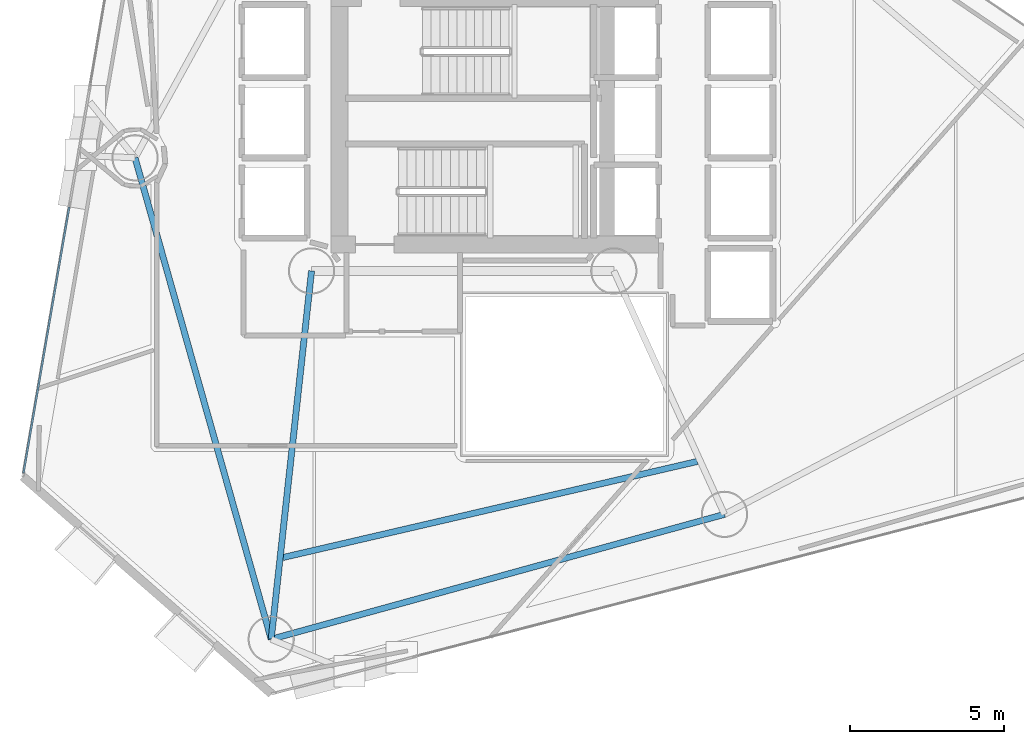
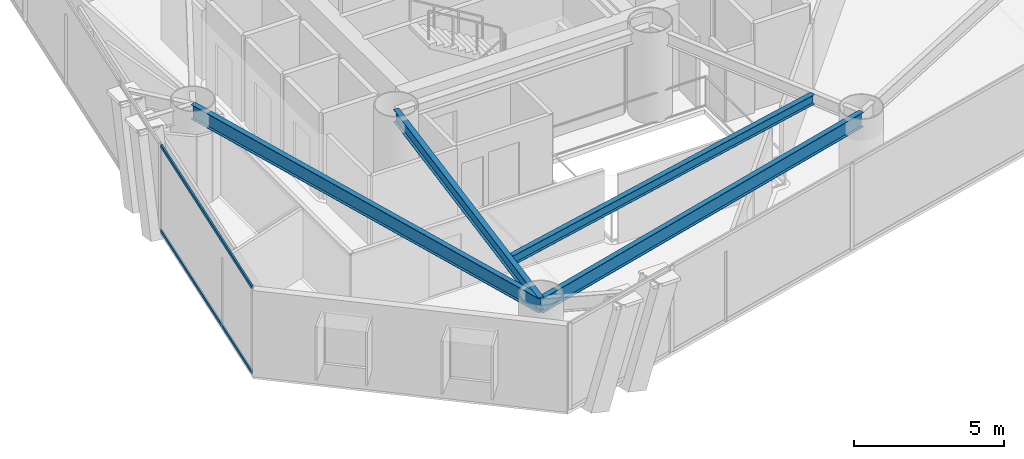
# One storey, part 3 of 21: 4 beams, 2 members, 1 element without a shape of its own.
"""IFC4 building model written with IfcOpenShell, lengths in metres."""

import ifcopenshell
import ifcopenshell.guid

model = None  # the IFC model being written
_history = None  # IfcOwnerHistory: only IFC2X3 demands one
_inside = {}  # id of a spatial element -> (the spatial element, [elements in it])
_under = {}  # id of a project, library or spatial element -> (it, [spatial elements below it])
_declared = {}  # id of a project -> (the project, [libraries it declares])
_typed = {}  # id of a type object -> (the type object, [elements of that type])
_made_of = {}  # id of a material, layer set ... -> (it, [elements and type objects made of it])


def new_model(schema):
    """Start an empty IFC model of exactly this schema.

    Asked for "IFC4X3", IfcOpenShell would pick the latest addendum, in which some entities
    have other attributes; the version numbers below select the first issue.
    IFC2X3 requires an IfcOwnerHistory on every rooted entity: one is made here for all.
    """
    global model, _history
    if schema == "IFC4X3":
        model = ifcopenshell.file(schema_version=(4, 3, 0, 0))
    else:
        model = ifcopenshell.file(schema=schema)
    _inside.clear()
    _under.clear()
    _declared.clear()
    _typed.clear()
    _made_of.clear()
    _history = None
    if model.schema == "IFC2X3":
        org = make("IfcOrganization", Name="unknown")
        user = make(
            "IfcPersonAndOrganization",
            ThePerson=make("IfcPerson", FamilyName="unknown"),
            TheOrganization=org,
        )
        app = make(
            "IfcApplication",
            ApplicationDeveloper=org,
            Version="unknown",
            ApplicationFullName="unknown",
            ApplicationIdentifier="unknown",
        )
        _history = make(
            "IfcOwnerHistory",
            OwningUser=user,
            OwningApplication=app,
            ChangeAction="ADDED",
            CreationDate=0,
        )
    return model


def make(cls, **values):
    """One entity of the class cls with the attributes given. An attribute that is None is left unset."""
    return model.create_entity(
        cls, **{name: value for name, value in values.items() if value is not None}
    )


def rooted(cls, **values):
    """An entity with a GlobalId (a new one), such as an element, a storey or a relation."""
    return make(cls, GlobalId=ifcopenshell.guid.new(), OwnerHistory=_history, **values)


def si_unit(unit_type, name, prefix=None):
    """IfcSIUnit, for example si_unit("LENGTHUNIT", "METRE", prefix="MILLI")."""
    return make("IfcSIUnit", UnitType=unit_type, Prefix=prefix, Name=name)


def assignment(units):
    """IfcUnitAssignment: the units of a project."""
    return None if units is None else make("IfcUnitAssignment", Units=units)


def point(xyz):
    """IfcCartesianPoint."""
    return None if xyz is None else make("IfcCartesianPoint", Coordinates=xyz)


def direction(xyz):
    """IfcDirection."""
    return None if xyz is None else make("IfcDirection", DirectionRatios=xyz)


def frame(location, z_axis=None, x_axis=None):
    """IfcAxis2Placement3D, a coordinate frame: its origin and axes. An axis left out is left unset."""
    return make(
        "IfcAxis2Placement3D",
        Location=point(location),
        Axis=direction(z_axis),
        RefDirection=direction(x_axis),
    )


def frame_2d(location, x_axis=None):
    """IfcAxis2Placement2D, a coordinate frame in the plane: its origin and x axis."""
    return make(
        "IfcAxis2Placement2D", Location=point(location), RefDirection=direction(x_axis)
    )


def origin():
    """The frame at (0, 0, 0) with its axes left unset."""
    return frame((0.0, 0.0, 0.0))


def origin_2d():
    """The frame at (0, 0) in the plane with its x axis left unset."""
    return frame_2d((0.0, 0.0))


def place(relative_to, where):
    """IfcLocalPlacement: puts the frame where relative to a parent placement (None: the world)."""
    return make(
        "IfcLocalPlacement", PlacementRelTo=relative_to, RelativePlacement=where
    )


def context(
    kind, dimensions, precision=None, world=None, true_north=None, identifier=None
):
    """IfcGeometricRepresentationContext, for example the 3D "Model" context."""
    return make(
        "IfcGeometricRepresentationContext",
        ContextIdentifier=identifier,
        ContextType=kind,
        CoordinateSpaceDimension=dimensions,
        Precision=precision,
        WorldCoordinateSystem=world,
        TrueNorth=true_north,
    )


def subcontext(parent, identifier, kind, view, scale=None):
    """IfcGeometricRepresentationSubContext, for example "Body" below "Model"."""
    return make(
        "IfcGeometricRepresentationSubContext",
        ContextIdentifier=identifier,
        ContextType=kind,
        ParentContext=parent,
        TargetScale=scale,
        TargetView=view,
    )


def project(units=None, contexts=None):
    """IfcProject with its units and contexts."""
    return rooted(
        "IfcProject",
        Name="project",
        RepresentationContexts=contexts,
        UnitsInContext=assignment(units),
    )


def spatial(cls, under=None, at=None, **own):
    """A site, building, storey or space (cls), placed at a placement, below another one or the project."""
    s = rooted(cls, ObjectPlacement=at, **own)
    if under is not None:
        _under.setdefault(under.id(), (under, []))[1].append(s)
    return s


def profile(cls, at=None, kind="AREA", **sizes):
    """A parametric profile (cls). Its sizes go by their IFC names, for example OverallWidth=200.0."""
    return make(cls, ProfileType=kind, Position=at, **sizes)


def hollow_rectangle(**sizes):
    """IfcRectangleHollowProfileDef."""
    return profile("IfcRectangleHollowProfileDef", **sizes)


def i_section(**sizes):
    """IfcIShapeProfileDef."""
    return profile("IfcIShapeProfileDef", **sizes)


def extrude(swept, where, along, depth):
    """IfcExtrudedAreaSolid: the profile swept, set in the frame where, extruded along a direction by depth."""
    return make(
        "IfcExtrudedAreaSolid",
        SweptArea=swept,
        Position=where,
        ExtrudedDirection=direction(along),
        Depth=depth,
    )


def shape(context_of_items, identifier, shape_type, items):
    """IfcShapeRepresentation: the items that make up one representation, for example the "Body"."""
    return make(
        "IfcShapeRepresentation",
        ContextOfItems=context_of_items,
        RepresentationIdentifier=identifier,
        RepresentationType=shape_type,
        Items=items,
    )


def material(Name=None, Category=None):
    """IfcMaterial."""
    return make("IfcMaterial", Name=Name, Category=Category)


def layer(
    of_material, thickness, ventilated=None, Name=None, Category=None, Priority=None
):
    """IfcMaterialLayer: one layer of a wall or slab, of a material (None: an air gap)."""
    return make(
        "IfcMaterialLayer",
        Material=of_material,
        LayerThickness=thickness,
        IsVentilated=ventilated,
        Name=Name,
        Category=Category,
        Priority=Priority,
    )


def layer_set(layers, Name=None):
    """IfcMaterialLayerSet."""
    return make("IfcMaterialLayerSet", MaterialLayers=layers, LayerSetName=Name)


def material_profile(
    of_material, cross_section, Name=None, Category=None, Priority=None
):
    """IfcMaterialProfile: a cross section and its material."""
    return make(
        "IfcMaterialProfile",
        Name=Name,
        Material=of_material,
        Profile=cross_section,
        Priority=Priority,
        Category=Category,
    )


def profile_set(profiles, Name=None, composite=None):
    """IfcMaterialProfileSet."""
    return make(
        "IfcMaterialProfileSet",
        Name=Name,
        MaterialProfiles=profiles,
        CompositeProfile=composite,
    )


def made_of(thing, what):
    """Note that an element or type object is made of a material, layer set ...; save() writes the relation."""
    if what is not None:
        _made_of.setdefault(what.id(), (what, []))[1].append(thing)
    return thing


def type_object(cls, material=None, **own):
    """A type object (cls), such as IfcWallType, which elements share."""
    return made_of(rooted(cls, **own), material)


def element(
    cls,
    number,
    at=None,
    inside=None,
    cuts=None,
    type_object=None,
    material=None,
    context=None,
    identifier="Body",
    shape_type=None,
    held_by="IfcProductDefinitionShape",
    body=None,
    shapes=None,
    **own,
):
    """One element of the class cls, such as IfcWall. Its Tag is "e" and its number.

    at: its placement. inside: the storey or other place that contains it. cuts: it is an
    opening in that element (IfcRelVoidsElement). A single representation is given by context,
    identifier, shape_type and body (its items); several are given by shapes. held_by: the class
    of the entity that holds the representations. save() writes the other relations.
    """
    e = rooted(cls, Tag="e%d" % number, ObjectPlacement=at, **own)
    if body is not None:
        shapes = [shape(context, identifier, shape_type, body)]
    if shapes is not None:
        e.Representation = make(held_by, Representations=shapes)
    if inside is not None:
        _inside.setdefault(inside.id(), (inside, []))[1].append(e)
    if cuts is not None:
        rooted(
            "IfcRelVoidsElement", RelatingBuildingElement=cuts, RelatedOpeningElement=e
        )
    if type_object is not None:
        _typed.setdefault(type_object.id(), (type_object, []))[1].append(e)
    return made_of(e, material)


def aggregate(whole, parts):
    """IfcRelAggregates: a whole, such as a stair, and the parts it consists of."""
    return rooted("IfcRelAggregates", RelatingObject=whole, RelatedObjects=parts)


def save(model, path):
    """Write the relations noted so far, then the file.

    IfcRelAggregates (storeys below a building ...), IfcRelContainedInSpatialStructure (elements
    in a storey), IfcRelDefinesByType, IfcRelAssociatesMaterial and IfcRelDeclares: one each for
    every whole, place, type object, material and project.
    """
    for whole, parts in _under.values():
        aggregate(whole, parts)
    for where, things in _inside.values():
        rooted(
            "IfcRelContainedInSpatialStructure",
            RelatedElements=things,
            RelatingStructure=where,
        )
    for kind, things in _typed.values():
        rooted("IfcRelDefinesByType", RelatedObjects=things, RelatingType=kind)
    for what, things in _made_of.values():
        rooted("IfcRelAssociatesMaterial", RelatedObjects=things, RelatingMaterial=what)
    for by, libraries in _declared.values():
        rooted("IfcRelDeclares", RelatingContext=by, RelatedDefinitions=libraries)
    model.write(path)


model = new_model("IFC4")

# Units and contexts
model_context = context("Model", 3, precision=1e-05, world=origin(), true_north=direction((0.0, 1.0)))
body_context = subcontext(model_context, "Body", "Model", "MODEL_VIEW")
ifc_project = project(units=[si_unit("LENGTHUNIT", "METRE"), si_unit("AREAUNIT", "SQUARE_METRE"), si_unit("VOLUMEUNIT", "CUBIC_METRE"), si_unit("PLANEANGLEUNIT", "RADIAN"), si_unit("MASSUNIT", "GRAM", prefix="KILO")], contexts=[model_context])

# Site, building, storey
site_placement = place(None, origin())
site = spatial("IfcSite", under=ifc_project, at=site_placement, CompositionType="ELEMENT")
building_placement = place(site_placement, origin())
building = spatial("IfcBuilding", under=site, at=building_placement, Name="Qianvela Tower", CompositionType="ELEMENT")
storey_placement = place(building_placement, frame((0.0, 0.0, 105.199951171875)))
storey = spatial("IfcBuildingStorey", under=building, at=storey_placement, Name="L26", CompositionType="ELEMENT", Elevation=105.199951171875)

# Beams
ifc_material_1 = material(Name="Steel Q355B", Category="steel")
ifc_material_profile_1 = material_profile(ifc_material_1, i_section(OverallWidth=0.199951171875, OverallDepth=0.39990234375, WebThickness=0.008056640625, FlangeThickness=0.012939453125, at=origin_2d()), Name="HN400x200x8x13")
ifc_profile_set_1 = profile_set([ifc_material_profile_1], Name="Steel Q355B")
beam_type_1 = type_object("IfcBeamType", Name="BM-HN400-JOIST", PredefinedType="JOIST", material=ifc_profile_set_1)
beam_1_placement = place(storey_placement, frame((27.67333984375, 14.5576171875, 3.318115234375), z_axis=(0.974157898668, 0.225868077567, 0.0), x_axis=(-0.225868077567, 0.974157898668, 0.0)))
element("IfcBeam", 1, at=beam_1_placement, inside=storey, type_object=beam_type_1, Name="L26 Secondary Composite Floor Joist 5.3", PredefinedType="JOIST", context=body_context, shape_type="SweptSolid", body=[
    extrude(i_section(OverallWidth=0.199951171875, OverallDepth=0.39990234375, WebThickness=0.008056640625, FlangeThickness=0.012939453125, at=origin_2d()), origin(), (0.0, 0.0, 1.0), 13.787841796875),
])
ifc_material_2 = material(Name="Steel Q355B", Category="steel")
ifc_material_profile_2 = material_profile(ifc_material_2, i_section(OverallWidth=0.199951171875, OverallDepth=0.5, WebThickness=0.010009765625, FlangeThickness=0.01611328125, at=origin_2d()), Name="HN500x200x10x16")
ifc_profile_set_2 = profile_set([ifc_material_profile_2], Name="Steel Q355B")
beam_type_2 = type_object("IfcBeamType", Name="BM-HN500-GIRD", PredefinedType="BEAM", material=ifc_profile_set_2)
beam_2_placement = place(storey_placement, frame((28.60009765625, 23.85009765625, 3.26806640625), z_axis=(-0.108894474914, -0.994053315136, 0.0), x_axis=(0.994053315136, -0.108894474914, 0.0)))
element("IfcBeam", 2, at=beam_2_placement, inside=storey, type_object=beam_type_2, Name="L26 Radial Primary Floor Girder 5", PredefinedType="BEAM", context=body_context, shape_type="SweptSolid", body=[
    extrude(i_section(OverallWidth=0.199951171875, OverallDepth=0.5, WebThickness=0.010009765625, FlangeThickness=0.01611328125, at=origin_2d()), origin(), (0.0, 0.0, 1.0), 12.0126953125),
])
ifc_material_3 = material(Name="Steel Q355B", Category="steel")
ifc_material_profile_3 = material_profile(ifc_material_3, i_section(OverallWidth=0.199951171875, OverallDepth=0.60009765625, WebThickness=0.010986328125, FlangeThickness=0.01708984375, at=origin_2d()), Name="HN600x200x11x17")
ifc_profile_set_3 = profile_set([ifc_material_profile_3], Name="Steel Q355B")
beam_type_3 = type_object("IfcBeamType", Name="BM-HN600-GIRD", PredefinedType="BEAM", material=ifc_profile_set_3)
beam_3_placement = place(storey_placement, frame((22.8779296875, 27.51611328125, 3.218017578125), z_axis=(0.272147602289, -0.962255518336, 0.0), x_axis=(0.962255518336, 0.272147602289, 0.0)))
element("IfcBeam", 3, at=beam_3_placement, inside=storey, type_object=beam_type_3, Name="L26 Perimeter Ring Spandrel Girder 4", PredefinedType="BEAM", context=body_context, shape_type="SweptSolid", body=[
    extrude(i_section(OverallWidth=0.199951171875, OverallDepth=0.60009765625, WebThickness=0.010986328125, FlangeThickness=0.01708984375, at=origin_2d()), origin(), (0.0, 0.0, 1.0), 16.219482421875),
])
beam_4_placement = place(storey_placement, frame((27.2919921875, 11.908935546875, 3.218017578125), z_axis=(0.964093212083, 0.265564075912, 0.0), x_axis=(-0.265564075912, 0.964093212083, 0.0)))
element("IfcBeam", 4, at=beam_4_placement, inside=storey, type_object=beam_type_3, Name="L26 Perimeter Ring Spandrel Girder 5", PredefinedType="BEAM", context=body_context, shape_type="SweptSolid", body=[
    extrude(i_section(OverallWidth=0.199951171875, OverallDepth=0.60009765625, WebThickness=0.010986328125, FlangeThickness=0.01708984375, at=origin_2d()), origin(), (0.0, 0.0, 1.0), 15.243408203125),
])

# Curtain wall, members
ifc_material_4 = material(Name="Anodised Architectural Aluminium and Low-E Glass", Category="aluminium")
ifc_layer = layer(ifc_material_4, 0.169921875)
ifc_layer_set = layer_set([ifc_layer], Name="Anodised Architectural Aluminium and Low-E Glass")
curtain_wall_type = type_object("IfcCurtainWallType", Name="CW-COLIV-Z34", PredefinedType="USERDEFINED", material=ifc_layer_set)
curtain_wall_placement = place(storey_placement, origin())
curtain_wall = element("IfcCurtainWall", 5, at=curtain_wall_placement, inside=storey, type_object=curtain_wall_type, Name="L26 CW-COLIV-Z34 Curtain Wall 04C", ObjectType="CURTAIN_WALL_SYSTEM", PredefinedType="USERDEFINED")
ifc_material_5 = material(Name="Anodised Architectural Aluminium 6063-T6", Category="aluminium")
ifc_material_profile_4 = material_profile(ifc_material_5, hollow_rectangle(XDim=0.06494140625, YDim=0.1298828125, WallThickness=0.00439453125, at=origin_2d()), Name="ALU-TRAN-65x130")
ifc_profile_set_4 = profile_set([ifc_material_profile_4], Name="Anodised Architectural Aluminium 6063-T6")
member_type = type_object("IfcMemberType", Name="CW-COLIV-Z34-TRAN", PredefinedType="USERDEFINED", material=ifc_profile_set_4)
member_1_placement = place(storey_placement, frame((20.744140625, 25.92333984375, 0.032470703125), z_axis=(-0.16951856013, -0.985526994948, 0.0), x_axis=(0.985526994948, -0.16951856013, 0.0)))
member_1 = element("IfcMember", 6, at=member_1_placement, type_object=member_type, Name="CW-4 transom 1.1", ObjectType="TRANSOM", PredefinedType="USERDEFINED", context=body_context, shape_type="SweptSolid", body=[
    extrude(hollow_rectangle(XDim=0.06494140625, YDim=0.1298828125, WallThickness=0.00439453125, at=origin_2d()), origin(), (0.0, 0.0, 1.0), 8.7578125),
])
member_2_placement = place(storey_placement, frame((20.744140625, 25.92333984375, 3.487548828125), z_axis=(-0.16951856013, -0.985526994948, 0.0), x_axis=(0.985526994948, -0.16951856013, 0.0)))
member_2 = element("IfcMember", 7, at=member_2_placement, type_object=member_type, Name="CW-4 transom 1.2", ObjectType="TRANSOM", PredefinedType="USERDEFINED", context=body_context, shape_type="SweptSolid", body=[
    extrude(hollow_rectangle(XDim=0.06494140625, YDim=0.1298828125, WallThickness=0.00439453125, at=origin_2d()), origin(), (0.0, 0.0, 1.0), 8.7578125),
])
aggregate(curtain_wall, [member_1, member_2])

save(model, "model.ifc")
